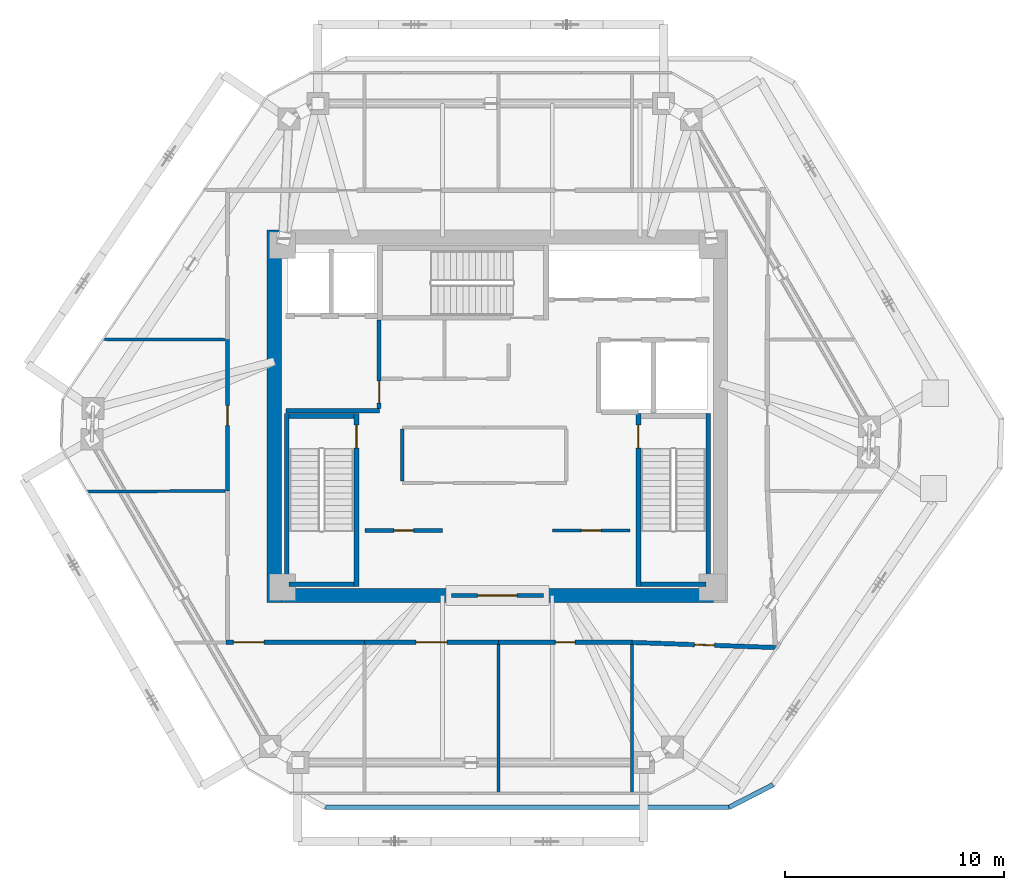
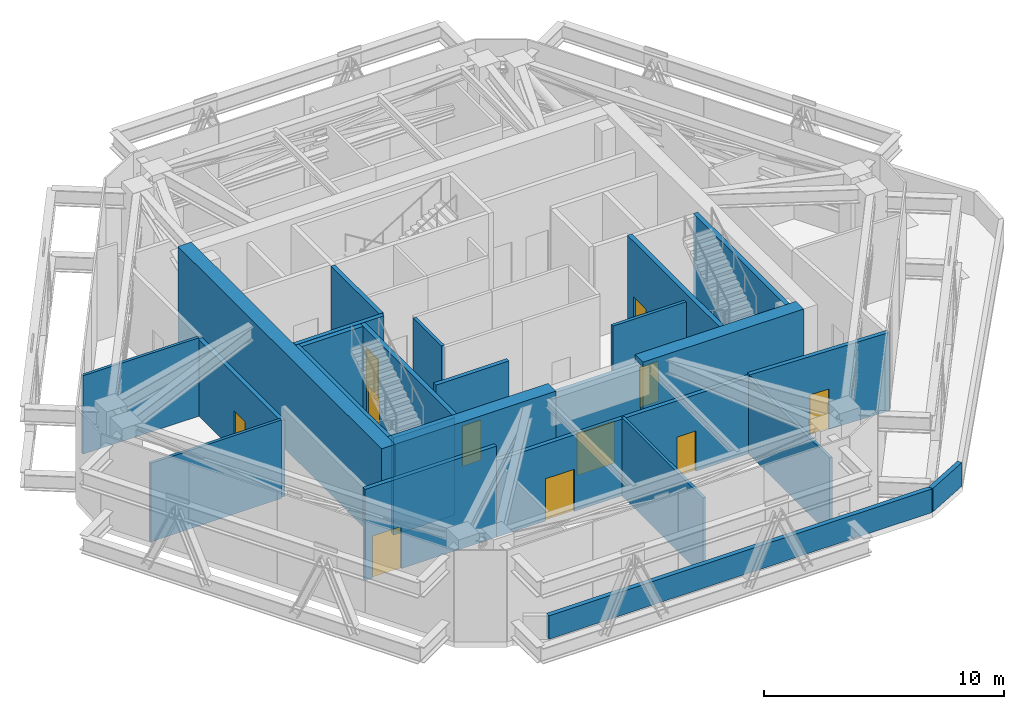
# One storey, part 7 of 10: 27 walls, 11 doors, 11 openings.
"""IFC4 building model written with IfcOpenShell, lengths in metres."""

from ifc_helpers import new_model, si_unit, direction, frame, frame_2d, origin, place, context, subcontext, project, spatial, rectangle, extrude, source, transform, mapped, material, layer, layer_set, type_object, type_shapes, element, fill, save


model = new_model("IFC4")

# Units and contexts
model_context = context("Model", 3, precision=1e-05, world=origin(), true_north=direction((0.0, 1.0)))
body_context = subcontext(model_context, "Body", "Model", "MODEL_VIEW")
ifc_project = project(units=[si_unit("LENGTHUNIT", "METRE"), si_unit("AREAUNIT", "SQUARE_METRE"), si_unit("VOLUMEUNIT", "CUBIC_METRE"), si_unit("PLANEANGLEUNIT", "RADIAN"), si_unit("MASSUNIT", "GRAM", prefix="KILO")], contexts=[model_context])

# Site, building, storey
site_placement = place(None, origin())
site = spatial("IfcSite", under=ifc_project, at=site_placement, CompositionType="ELEMENT")
building_placement = place(site_placement, origin())
building = spatial("IfcBuilding", under=site, at=building_placement, Name="Durnholm Broadcast Tower", CompositionType="ELEMENT")
storey_placement = place(building_placement, frame((0.0, 0.0, 213.39990234375)))
storey = spatial("IfcBuildingStorey", under=building, at=storey_placement, Name="L59", CompositionType="ELEMENT", Elevation=213.39990234375)

# Walls
ifc_material_1 = material(Name="Concrete C70/85", Category="concrete")
ifc_layer_1 = layer(ifc_material_1, 0.64990234375)
ifc_layer_set_1 = layer_set([ifc_layer_1], Name="Concrete C70/85")
wall_type_1 = type_object("IfcWallType", Name="WALL-CW-650", PredefinedType="SHEAR", material=ifc_layer_set_1)
wall_1_placement = place(storey_placement, frame((-10.175048828125, -8.5, 0.0), z_axis=(0.0, 0.0, 1.0), x_axis=(0.0, 1.0, 0.0)))
element("IfcWall", 1, at=wall_1_placement, inside=storey, type_object=wall_type_1, Name="L59 central core shear wall CW-WEST", PredefinedType="SHEAR", context=body_context, shape_type="SweptSolid", body=[
    extrude(rectangle(XDim=17.0, YDim=0.64990234375, at=frame_2d((8.5, 0.0))), origin(), (0.0, 0.0, 1.0), 4.900146484375),
])
for number, where, z_axis, x_axis, name in (
    (2, (-9.85009765625, -8.175048828125, 0.0), (0.0, 0.0, 1.0), (1.0, 0.0, 0.0), "L59 central core shear wall CW-S1"),
    (3, (2.10009765625, -8.175048828125, 0.0), (0.0, 0.0, 1.0), (1.0, 0.0, 0.0), "L59 central core shear wall CW-S2"),
):
    element("IfcWall", number, at=place(storey_placement, frame(where, z_axis=z_axis, x_axis=x_axis)), inside=storey, type_object=wall_type_1, Name=name, PredefinedType="SHEAR", context=body_context, shape_type="SweptSolid", body=[
        extrude(rectangle(XDim=7.75, YDim=0.64990234375, at=frame_2d((3.875, 0.0))), origin(), (0.0, 0.0, 1.0), 4.900146484375),
    ])

# Wall, opening, door
ifc_material_2 = material(Name="Fire-Rated Gypsum Shaftwall", Category="concrete")
ifc_layer_2 = layer(ifc_material_2, 0.199951171875)
ifc_layer_set_2 = layer_set([ifc_layer_2], Name="Fire-Rated Gypsum Shaftwall")
wall_type_2 = type_object("IfcWallType", Name="WALL-LOB-200", PredefinedType="SOLIDWALL", material=ifc_layer_set_2)
wall_2_placement = place(storey_placement, frame((-2.10009765625, -8.175048828125, 0.0), z_axis=(0.0, 0.0, 1.0), x_axis=(1.0, 0.0, 0.0)))
wall_2 = element("IfcWall", 4, at=wall_2_placement, inside=storey, type_object=wall_type_2, Name="L59 south core lobby fire screen", PredefinedType="SOLIDWALL", context=body_context, shape_type="SweptSolid", body=[
    extrude(rectangle(XDim=4.2001953125, YDim=0.199951171875, at=frame_2d((2.10009765625, 0.0))), origin(), (0.0, 0.0, 1.0), 4.64501953125),
])
opening_1_placement = place(wall_2_placement, frame((1.199951171875, 0.0, 0.0)))
opening_1 = element("IfcOpeningElement", 5, at=opening_1_placement, cuts=wall_2, Name="Opening DP-60", PredefinedType="OPENING", context=body_context, shape_type="SweptSolid", body=[
    extrude(rectangle(XDim=1.800048828125, YDim=2.14990234375, at=frame_2d((0.89990234375, 1.074951171875))), frame((0.0, 0.10986328125, 0.0), z_axis=(0.0, -1.0, 0.0), x_axis=(1.0, 0.0, 0.0)), (0.0, 0.0, 1.0), 0.219970703125),
])
ifc_material_3 = material(Name="Fire-Rated Double Corridor Door", Category="steel")
ifc_layer_3 = layer(ifc_material_3, 0.050048828125)
ifc_layer_set_3 = layer_set([ifc_layer_3], Name="Fire-Rated Double Corridor Door")
door_type_1 = type_object("IfcDoorType", Name="DOOR-PAIR-FD60", OperationType="DOUBLE_DOOR_SINGLE_SWING", PredefinedType="DOOR", material=ifc_layer_set_3)
shared_shape_1 = source(origin(), body_context, "Body", "SweptSolid", [
    extrude(rectangle(XDim=1.800048828125, YDim=2.14990234375, at=frame_2d((0.89990234375, 1.074951171875))), frame((0.0, 0.02490234375, 0.0), z_axis=(0.0, -1.0, 0.0), x_axis=(1.0, 0.0, 0.0)), (0.0, 0.0, 1.0), 0.050048828125),
])
type_shapes(door_type_1, [shared_shape_1])
door_1_placement = place(opening_1_placement, origin())
door_1 = element("IfcDoor", 6, at=door_1_placement, inside=storey, type_object=door_type_1, Name="L59 south core lobby double fire door", OperationType="DOUBLE_DOOR_SINGLE_SWING", OverallHeight=2.14990234375, OverallWidth=1.800048828125, PredefinedType="DOOR", context=body_context, shape_type="MappedRepresentation", body=[
    mapped(shared_shape_1, transform((0.0, 0.0, 0.0), x_axis=(1.0, 0.0, 0.0), y_axis=(0.0, 1.0, 0.0), z_axis=(0.0, 0.0, 1.0), scale=1.0)),
])
fill(opening_1, door_1)

# Wall
wall_3_placement = place(storey_placement, frame((-9.64990234375, 0.25, 0.0), z_axis=(0.0, 0.0, 1.0), x_axis=(1.0, 0.0, 0.0)))
element("IfcWall", 7, at=wall_3_placement, inside=storey, type_object=wall_type_2, Name="L59 Fire Service Access Elevator lobby south wall", PredefinedType="SOLIDWALL", context=body_context, shape_type="SweptSolid", body=[
    extrude(rectangle(XDim=4.27001953125, YDim=0.199951171875, at=frame_2d((2.135009765625, 0.0))), origin(), (0.0, 0.0, 1.0), 4.64501953125),
])

# Wall, opening, door
wall_4_placement = place(storey_placement, frame((-5.39990234375, 0.35400390625, 0.0), z_axis=(0.0, 0.0, 1.0), x_axis=(0.0, 1.0, 0.0)))
wall_4 = element("IfcWall", 8, at=wall_4_placement, inside=storey, type_object=wall_type_2, Name="L59 Fire Service Access Elevator lobby east fire wall", PredefinedType="SOLIDWALL", context=body_context, shape_type="SweptSolid", body=[
    extrude(rectangle(XDim=4.02587890625, YDim=0.199951171875, at=frame_2d((2.012939453125, 0.0))), origin(), (0.0, 0.0, 1.0), 4.64501953125),
])
opening_2_placement = place(wall_4_placement, frame((0.24609375, 0.0, 0.0)))
opening_2 = element("IfcOpeningElement", 9, at=opening_2_placement, cuts=wall_4, Name="Opening DL-60R", PredefinedType="OPENING", context=body_context, shape_type="SweptSolid", body=[
    extrude(rectangle(XDim=1.0, YDim=2.14990234375, at=frame_2d((0.5, 1.074951171875))), frame((0.0, 0.10986328125, 0.0), z_axis=(0.0, -1.0, 0.0), x_axis=(1.0, 0.0, 0.0)), (0.0, 0.0, 1.0), 0.219970703125),
])
ifc_material_4 = material(Name="Fire-Rated Timber/Steel Door", Category="steel")
ifc_layer_4 = layer(ifc_material_4, 0.050048828125)
ifc_layer_set_4 = layer_set([ifc_layer_4], Name="Fire-Rated Timber/Steel Door")
door_type_2 = type_object("IfcDoorType", Name="DOOR-LOB-FD60-R", OperationType="NOTDEFINED", PredefinedType="DOOR", material=ifc_layer_set_4)
shared_shape_2 = source(origin(), body_context, "Body", "SweptSolid", [
    extrude(rectangle(XDim=1.0, YDim=2.14990234375, at=frame_2d((0.5, 1.074951171875))), frame((0.0, 0.02490234375, 0.0), z_axis=(0.0, -1.0, 0.0), x_axis=(1.0, 0.0, 0.0)), (0.0, 0.0, 1.0), 0.050048828125),
])
type_shapes(door_type_2, [shared_shape_2])
door_2_placement = place(opening_2_placement, origin())
door_2 = element("IfcDoor", 10, at=door_2_placement, inside=storey, type_object=door_type_2, Name="L59 Fire Service Access Elevator lobby smoke door", OperationType="SINGLE_SWING_RIGHT", OverallHeight=2.14990234375, OverallWidth=1.0, PredefinedType="DOOR", context=body_context, shape_type="MappedRepresentation", body=[
    mapped(shared_shape_2, transform((0.0, 0.0, 0.0), x_axis=(1.0, 0.0, 0.0), y_axis=(0.0, 1.0, 0.0), z_axis=(0.0, 0.0, 1.0), scale=1.0)),
])
fill(opening_2, door_2)

wall_5_placement = place(storey_placement, frame((-6.0400390625, -5.2099609375, 0.0), z_axis=(0.0, 0.0, 1.0), x_axis=(1.0, 0.0, 0.0)))
wall_5 = element("IfcWall", 11, at=wall_5_placement, inside=storey, type_object=wall_type_2, Name="L59 Broadcast Signal Rack Room corridor partition", PredefinedType="SOLIDWALL", context=body_context, shape_type="SweptSolid", body=[
    extrude(rectangle(XDim=3.530029296875, YDim=0.199951171875, at=frame_2d((1.76513671875, 0.0))), origin(), (0.0, 0.0, 1.0), 4.64501953125),
])
opening_3_placement = place(wall_5_placement, frame((1.31494140625, 0.0, 0.0)))
opening_3 = element("IfcOpeningElement", 12, at=opening_3_placement, cuts=wall_5, Name="Opening DC-60L", PredefinedType="OPENING", context=body_context, shape_type="SweptSolid", body=[
    extrude(rectangle(XDim=0.89990234375, YDim=2.050048828125, at=frame_2d((0.449951171875, 1.02490234375))), frame((0.0, 0.10986328125, 0.0), z_axis=(0.0, -1.0, 0.0), x_axis=(1.0, 0.0, 0.0)), (0.0, 0.0, 1.0), 0.219970703125),
])
ifc_material_5 = material(Name="Fire-Rated Core Service Door", Category="steel")
ifc_layer_5 = layer(ifc_material_5, 0.050048828125)
ifc_layer_set_5 = layer_set([ifc_layer_5], Name="Fire-Rated Core Service Door")
door_type_3 = type_object("IfcDoorType", Name="DOOR-CORE-FD60-L", OperationType="NOTDEFINED", PredefinedType="DOOR", material=ifc_layer_set_5)
shared_shape_3 = source(origin(), body_context, "Body", "SweptSolid", [
    extrude(rectangle(XDim=0.89990234375, YDim=2.050048828125, at=frame_2d((0.449951171875, 1.02490234375))), frame((0.0, 0.02490234375, 0.0), z_axis=(0.0, -1.0, 0.0), x_axis=(1.0, 0.0, 0.0)), (0.0, 0.0, 1.0), 0.050048828125),
])
type_shapes(door_type_3, [shared_shape_3])
door_3_placement = place(opening_3_placement, origin())
door_3 = element("IfcDoor", 13, at=door_3_placement, inside=storey, type_object=door_type_3, Name="L59 Broadcast Signal Rack Room entrance door", OperationType="SINGLE_SWING_LEFT", OverallHeight=2.050048828125, OverallWidth=0.89990234375, PredefinedType="DOOR", context=body_context, shape_type="MappedRepresentation", body=[
    mapped(shared_shape_3, transform((0.0, 0.0, 0.0), x_axis=(1.0, 0.0, 0.0), y_axis=(0.0, 1.0, 0.0), z_axis=(0.0, 0.0, 1.0), scale=1.0)),
])
fill(opening_3, door_3)

wall_6_placement = place(storey_placement, frame((-12.389892578125, -10.31005859375, 0.0), z_axis=(0.0, 0.0, 1.0), x_axis=(1.0, 0.0, 0.0)))
wall_6 = element("IfcWall", 14, at=wall_6_placement, inside=storey, type_object=wall_type_2, Name="L59 L59 West Pressurized Refuge Area corridor partition", PredefinedType="SOLIDWALL", context=body_context, shape_type="SweptSolid", body=[
    extrude(rectangle(XDim=6.329833984375, YDim=0.199951171875, at=frame_2d((3.1650390625, 0.0))), origin(), (0.0, 0.0, 1.0), 4.64501953125),
])
opening_4_placement = place(wall_6_placement, frame((0.35009765625, 0.0, 0.0)))
opening_4 = element("IfcOpeningElement", 15, at=opening_4_placement, cuts=wall_6, Name="Opening DPL-140", PredefinedType="OPENING", context=body_context, shape_type="SweptSolid", body=[
    extrude(rectangle(XDim=1.39990234375, YDim=2.14990234375, at=frame_2d((0.699951171875, 1.074951171875))), frame((0.0, 0.10986328125, 0.0), z_axis=(0.0, -1.0, 0.0), x_axis=(1.0, 0.0, 0.0)), (0.0, 0.0, 1.0), 0.219970703125),
])
ifc_material_6 = material(Name="Fire-Rated Mechanical Plant Double Door", Category="steel")
ifc_layer_6 = layer(ifc_material_6, 0.050048828125)
ifc_layer_set_6 = layer_set([ifc_layer_6], Name="Fire-Rated Mechanical Plant Double Door")
door_type_4 = type_object("IfcDoorType", Name="DOOR-PLNT-1400", OperationType="DOUBLE_DOOR_SINGLE_SWING", PredefinedType="DOOR", material=ifc_layer_set_6)
shared_shape_4 = source(origin(), body_context, "Body", "SweptSolid", [
    extrude(rectangle(XDim=1.39990234375, YDim=2.14990234375, at=frame_2d((0.699951171875, 1.074951171875))), frame((0.0, 0.02490234375, 0.0), z_axis=(0.0, -1.0, 0.0), x_axis=(1.0, 0.0, 0.0)), (0.0, 0.0, 1.0), 0.050048828125),
])
type_shapes(door_type_4, [shared_shape_4])
door_4_placement = place(opening_4_placement, origin())
door_4 = element("IfcDoor", 16, at=door_4_placement, inside=storey, type_object=door_type_4, Name="L59 L59 West Pressurized Refuge Area entrance door", OperationType="DOUBLE_DOOR_SINGLE_SWING", OverallHeight=2.14990234375, OverallWidth=1.39990234375, PredefinedType="DOOR", context=body_context, shape_type="MappedRepresentation", body=[
    mapped(shared_shape_4, transform((0.0, 0.0, 0.0), x_axis=(1.0, 0.0, 0.0), y_axis=(0.0, 1.0, 0.0), z_axis=(0.0, 0.0, 1.0), scale=1.0)),
])
fill(opening_4, door_4)

wall_7_placement = place(storey_placement, frame((-6.06005859375, -10.31005859375, 0.0), z_axis=(0.0, 0.0, 1.0), x_axis=(1.0, 0.0, 0.0)))
wall_7 = element("IfcWall", 17, at=wall_7_placement, inside=storey, type_object=wall_type_2, Name="L59 L59 South Pressurized Refuge Area corridor partition", PredefinedType="SOLIDWALL", context=body_context, shape_type="SweptSolid", body=[
    extrude(rectangle(XDim=6.10009765625, YDim=0.199951171875, at=frame_2d((3.050048828125, 0.0))), origin(), (0.0, 0.0, 1.0), 3.9013671875),
])
opening_5_placement = place(wall_7_placement, frame((2.35009765625, 0.0, 0.0)))
opening_5 = element("IfcOpeningElement", 18, at=opening_5_placement, cuts=wall_7, Name="Opening DPL-140", PredefinedType="OPENING", context=body_context, shape_type="SweptSolid", body=[
    extrude(rectangle(XDim=1.39990234375, YDim=2.14990234375, at=frame_2d((0.699951171875, 1.074951171875))), frame((0.0, 0.10986328125, 0.0), z_axis=(0.0, -1.0, 0.0), x_axis=(1.0, 0.0, 0.0)), (0.0, 0.0, 1.0), 0.219970703125),
])
door_5_placement = place(opening_5_placement, origin())
door_5 = element("IfcDoor", 19, at=door_5_placement, inside=storey, type_object=door_type_4, Name="L59 L59 South Pressurized Refuge Area entrance door", OperationType="DOUBLE_DOOR_SINGLE_SWING", OverallHeight=2.14990234375, OverallWidth=1.39990234375, PredefinedType="DOOR", context=body_context, shape_type="MappedRepresentation", body=[
    mapped(shared_shape_4, transform((0.0, 0.0, 0.0), x_axis=(1.0, 0.0, 0.0), y_axis=(0.0, 1.0, 0.0), z_axis=(0.0, 0.0, 1.0), scale=1.0)),
])
fill(opening_5, door_5)

wall_8_placement = place(storey_placement, frame((0.0400390625, -10.31005859375, 0.0), z_axis=(0.0, 0.0, 1.0), x_axis=(1.0, 0.0, 0.0)))
wall_8 = element("IfcWall", 20, at=wall_8_placement, inside=storey, type_object=wall_type_2, Name="L59 Mechanical Plant Room - Domestic Water Booster Tank corridor partition", PredefinedType="SOLIDWALL", context=body_context, shape_type="SweptSolid", body=[
    extrude(rectangle(XDim=6.099853515625, YDim=0.199951171875, at=frame_2d((3.0498046875, 0.0))), origin(), (0.0, 0.0, 1.0), 3.9013671875),
])
opening_6_placement = place(wall_8_placement, frame((2.60009765625, 0.0, 0.0)))
opening_6 = element("IfcOpeningElement", 21, at=opening_6_placement, cuts=wall_8, Name="Opening DC-60L", PredefinedType="OPENING", context=body_context, shape_type="SweptSolid", body=[
    extrude(rectangle(XDim=0.89990234375, YDim=2.050048828125, at=frame_2d((0.449951171875, 1.02490234375))), frame((0.0, 0.10986328125, 0.0), z_axis=(0.0, -1.0, 0.0), x_axis=(1.0, 0.0, 0.0)), (0.0, 0.0, 1.0), 0.219970703125),
])
door_6_placement = place(opening_6_placement, origin())
door_6 = element("IfcDoor", 22, at=door_6_placement, inside=storey, type_object=door_type_3, Name="L59 Mechanical Plant Room - Domestic Water Booster Tank entrance door", OperationType="SINGLE_SWING_LEFT", OverallHeight=2.050048828125, OverallWidth=0.89990234375, PredefinedType="DOOR", context=body_context, shape_type="MappedRepresentation", body=[
    mapped(shared_shape_3, transform((0.0, 0.0, 0.0), x_axis=(1.0, 0.0, 0.0), y_axis=(0.0, 1.0, 0.0), z_axis=(0.0, 0.0, 1.0), scale=1.0)),
])
fill(opening_6, door_6)

wall_9_placement = place(storey_placement, frame((6.139892578125, -10.31298828125, 0.0), z_axis=(0.0, 0.0, 1.0), x_axis=(0.999359083983, -0.035796944861, 0.0)))
wall_9 = element("IfcWall", 23, at=wall_9_placement, inside=storey, type_object=wall_type_2, Name="L59 Mechanical Plant Room - Fire Protection Pump Plant corridor partition", PredefinedType="SOLIDWALL", context=body_context, shape_type="SweptSolid", body=[
    extrude(rectangle(XDim=6.608642578125, YDim=0.199951171875, at=frame_2d((3.30419921875, 0.0))), origin(), (0.0, 0.0, 1.0), 3.998779296875),
])
opening_7_placement = place(wall_9_placement, frame((2.854248046875, 0.0, 0.0)))
opening_7 = element("IfcOpeningElement", 24, at=opening_7_placement, cuts=wall_9, Name="Opening DC-60R", PredefinedType="OPENING", context=body_context, shape_type="SweptSolid", body=[
    extrude(rectangle(XDim=0.89990234375, YDim=2.050048828125, at=frame_2d((0.449951171875, 1.02490234375))), frame((0.0, 0.10986328125, 0.0), z_axis=(0.0, -1.0, 0.0), x_axis=(1.0, 0.0, 0.0)), (0.0, 0.0, 1.0), 0.219970703125),
])
ifc_layer_7 = layer(ifc_material_5, 0.050048828125)
ifc_layer_set_7 = layer_set([ifc_layer_7], Name="Fire-Rated Core Service Door")
door_type_5 = type_object("IfcDoorType", Name="DOOR-CORE-FD60-R", OperationType="NOTDEFINED", PredefinedType="DOOR", material=ifc_layer_set_7)
shared_shape_5 = source(origin(), body_context, "Body", "SweptSolid", [
    extrude(rectangle(XDim=0.89990234375, YDim=2.050048828125, at=frame_2d((0.449951171875, 1.02490234375))), frame((0.0, 0.02490234375, 0.0), z_axis=(0.0, -1.0, 0.0), x_axis=(1.0, 0.0, 0.0)), (0.0, 0.0, 1.0), 0.050048828125),
])
type_shapes(door_type_5, [shared_shape_5])
door_7_placement = place(opening_7_placement, origin())
door_7 = element("IfcDoor", 25, at=door_7_placement, inside=storey, type_object=door_type_5, Name="L59 Mechanical Plant Room - Fire Protection Pump Plant entrance door", OperationType="SINGLE_SWING_RIGHT", OverallHeight=2.050048828125, OverallWidth=0.89990234375, PredefinedType="DOOR", context=body_context, shape_type="MappedRepresentation", body=[
    mapped(shared_shape_5, transform((0.0, 0.0, 0.0), x_axis=(1.0, 0.0, 0.0), y_axis=(0.0, 1.0, 0.0), z_axis=(0.0, 0.0, 1.0), scale=1.0)),
])
fill(opening_7, door_7)

wall_10_placement = place(storey_placement, frame((-12.31005859375, 3.489990234375, 0.0), z_axis=(0.0, 0.0, 1.0), x_axis=(0.0, -1.0, 0.0)))
wall_10 = element("IfcWall", 26, at=wall_10_placement, inside=storey, type_object=wall_type_2, Name="L59 Mechanical Plant Room - Stairwell Pressurization Fan corridor partition", PredefinedType="SOLIDWALL", context=body_context, shape_type="SweptSolid", body=[
    extrude(rectangle(XDim=6.89990234375, YDim=0.199951171875, at=frame_2d((3.449951171875, 0.0))), origin(), (0.0, 0.0, 1.0), 3.9013671875),
])
opening_8_placement = place(wall_10_placement, frame((3.0, 0.0, 0.0)))
opening_8 = element("IfcOpeningElement", 27, at=opening_8_placement, cuts=wall_10, Name="Opening DC-60L", PredefinedType="OPENING", context=body_context, shape_type="SweptSolid", body=[
    extrude(rectangle(XDim=0.89990234375, YDim=2.050048828125, at=frame_2d((0.449951171875, 1.02490234375))), frame((0.0, 0.10986328125, 0.0), z_axis=(0.0, -1.0, 0.0), x_axis=(1.0, 0.0, 0.0)), (0.0, 0.0, 1.0), 0.219970703125),
])
door_8_placement = place(opening_8_placement, origin())
door_8 = element("IfcDoor", 28, at=door_8_placement, inside=storey, type_object=door_type_3, Name="L59 Mechanical Plant Room - Stairwell Pressurization Fan entrance door", OperationType="SINGLE_SWING_LEFT", OverallHeight=2.050048828125, OverallWidth=0.89990234375, PredefinedType="DOOR", context=body_context, shape_type="MappedRepresentation", body=[
    mapped(shared_shape_3, transform((0.0, 0.0, 0.0), x_axis=(1.0, 0.0, 0.0), y_axis=(0.0, 1.0, 0.0), z_axis=(0.0, 0.0, 1.0), scale=1.0)),
])
fill(opening_8, door_8)

# Walls
ifc_material_7 = material(Name="Precast Concrete C40/50", Category="concrete")
ifc_layer_8 = layer(ifc_material_7, 0.219970703125)
ifc_layer_set_8 = layer_set([ifc_layer_8], Name="Precast Concrete C40/50")
wall_type_3 = type_object("IfcWallType", Name="WALL-PAR-220", PredefinedType="PARAPET", material=ifc_layer_set_8)
wall_11_placement = place(storey_placement, frame((12.567138671875, -16.804931640625, 0.0), z_axis=(0.0, 0.0, 1.0), x_axis=(-0.889417810989, -0.457095129591, 0.0)))
element("IfcWall", 29, at=wall_11_placement, inside=storey, type_object=wall_type_3, Name="L59 setback roof perimeter parapet 06", PredefinedType="PARAPET", context=body_context, shape_type="SweptSolid", body=[
    extrude(rectangle(XDim=2.2470703125, YDim=0.219970703125, at=frame_2d((1.12353515625, 0.0))), origin(), (0.0, 0.0, 1.0), 1.2001953125),
])
wall_12_placement = place(storey_placement, frame((10.568603515625, -17.83203125, 0.0), z_axis=(0.0, 0.0, 1.0), x_axis=(-1.0, 0.0, 0.0)))
element("IfcWall", 30, at=wall_12_placement, inside=storey, type_object=wall_type_3, Name="L59 setback roof perimeter parapet 07", PredefinedType="PARAPET", context=body_context, shape_type="SweptSolid", body=[
    extrude(rectangle(XDim=18.443359375, YDim=0.219970703125, at=frame_2d((9.2216796875, 0.0))), origin(), (0.0, 0.0, 1.0), 1.2001953125),
])
ifc_material_8 = material(Name="Gypsum Metal Stud Partition", Category="concrete")
ifc_layer_9 = layer(ifc_material_8, 0.135009765625)
ifc_layer_set_9 = layer_set([ifc_layer_9], Name="Gypsum Metal Stud Partition")
wall_type_4 = type_object("IfcWallType", Name="WALL-PART-135", PredefinedType="PARTITIONING", material=ifc_layer_set_9)
wall_13_placement = place(storey_placement, frame((0.0400390625, -10.4140625, 0.0), z_axis=(0.0, 0.0, 1.0), x_axis=(0.0, -1.0, 0.0)))
element("IfcWall", 31, at=wall_13_placement, inside=storey, type_object=wall_type_4, Name="L59 room dividing partition 12.13", PredefinedType="PARTITIONING", context=body_context, shape_type="SweptSolid", body=[
    extrude(rectangle(XDim=6.77197265625, YDim=0.135009765625, at=frame_2d((3.385986328125, 0.0))), origin(), (0.0, 0.0, 1.0), 3.998779296875),
])
wall_14_placement = place(storey_placement, frame((6.139892578125, -10.4169921875, 0.0), z_axis=(0.0, 0.0, 1.0), x_axis=(0.0, -1.0, 0.0)))
element("IfcWall", 32, at=wall_14_placement, inside=storey, type_object=wall_type_4, Name="L59 room dividing partition 13.14", PredefinedType="PARTITIONING", context=body_context, shape_type="SweptSolid", body=[
    extrude(rectangle(XDim=6.76904296875, YDim=0.135009765625, at=frame_2d((3.384521484375, 0.0))), origin(), (0.0, 0.0, 1.0), 3.9013671875),
])
wall_15_placement = place(storey_placement, frame((-18.73046875, -3.43017578125, 0.0), z_axis=(0.0, 0.0, 1.0), x_axis=(0.999995099089, 0.00313078243, 0.0)))
element("IfcWall", 33, at=wall_15_placement, inside=storey, type_object=wall_type_4, Name="L59 room dividing partition 18.19", PredefinedType="PARTITIONING", context=body_context, shape_type="SweptSolid", body=[
    extrude(rectangle(XDim=6.31640625, YDim=0.135009765625, at=frame_2d((3.158203125, 0.0))), origin(), (0.0, 0.0, 1.0), 3.998779296875),
])
wall_16_placement = place(storey_placement, frame((-17.99560546875, 3.512451171875, 0.0), z_axis=(0.0, 0.0, 1.0), x_axis=(0.99999225143, -0.003936632956, 0.0)))
element("IfcWall", 34, at=wall_16_placement, inside=storey, type_object=wall_type_4, Name="L59 room dividing partition 19.20", PredefinedType="PARTITIONING", context=body_context, shape_type="SweptSolid", body=[
    extrude(rectangle(XDim=5.58154296875, YDim=0.135009765625, at=frame_2d((2.790771484375, 0.0))), origin(), (0.0, 0.0, 1.0), 3.998779296875),
])

# Wall, opening, door
ifc_material_9 = material(Name="Acoustic Gypsum Stud Partition", Category="concrete")
ifc_layer_10 = layer(ifc_material_9, 0.14990234375)
ifc_layer_set_10 = layer_set([ifc_layer_10], Name="Acoustic Gypsum Stud Partition")
wall_type_5 = type_object("IfcWallType", Name="WALL-PART-150", PredefinedType="PARTITIONING", material=ifc_layer_set_10)
wall_17_placement = place(storey_placement, frame((2.510009765625, -5.2099609375, 0.0), z_axis=(0.0, 0.0, 1.0), x_axis=(1.0, 0.0, 0.0)))
wall_17 = element("IfcWall", 35, at=wall_17_placement, inside=storey, type_object=wall_type_5, Name="L59 Editorial Beverage Pantry corridor partition", PredefinedType="PARTITIONING", context=body_context, shape_type="SweptSolid", body=[
    extrude(rectangle(XDim=3.530029296875, YDim=0.14990234375, at=frame_2d((1.76513671875, 0.0))), origin(), (0.0, 0.0, 1.0), 4.64501953125),
])
opening_9_placement = place(wall_17_placement, frame((1.31494140625, 0.0, 0.0)))
opening_9 = element("IfcOpeningElement", 36, at=opening_9_placement, cuts=wall_17, Name="Opening DC-60R", PredefinedType="OPENING", context=body_context, shape_type="SweptSolid", body=[
    extrude(rectangle(XDim=0.89990234375, YDim=2.050048828125, at=frame_2d((0.449951171875, 1.02490234375))), frame((0.0, 0.0849609375, 0.0), z_axis=(0.0, -1.0, 0.0), x_axis=(1.0, 0.0, 0.0)), (0.0, 0.0, 1.0), 0.169921875),
])
door_9_placement = place(opening_9_placement, origin())
door_9 = element("IfcDoor", 37, at=door_9_placement, inside=storey, type_object=door_type_5, Name="L59 Editorial Beverage Pantry entrance door", OperationType="SINGLE_SWING_RIGHT", OverallHeight=2.050048828125, OverallWidth=0.89990234375, PredefinedType="DOOR", context=body_context, shape_type="MappedRepresentation", body=[
    mapped(shared_shape_5, transform((0.0, 0.0, 0.0), x_axis=(1.0, 0.0, 0.0), y_axis=(0.0, 1.0, 0.0), z_axis=(0.0, 0.0, 1.0), scale=1.0)),
])
fill(opening_9, door_9)

# Wall
wall_18_placement = place(storey_placement, frame((-4.340087890625, -2.9609375, 0.0), z_axis=(0.0, 0.0, 1.0), x_axis=(0.0, 1.0, 0.0)))
element("IfcWall", 38, at=wall_18_placement, inside=storey, type_object=wall_type_5, Name="L59 Digital Tape Archive Store corridor partition", PredefinedType="PARTITIONING", context=body_context, shape_type="SweptSolid", body=[
    extrude(rectangle(XDim=2.371826171875, YDim=0.14990234375, at=frame_2d((1.18603515625, 0.0))), origin(), (0.0, 0.0, 1.0), 4.64501953125),
])

# Wall, opening, door
ifc_material_10 = material(Name="Concrete C50/60", Category="concrete")
ifc_layer_11 = layer(ifc_material_10, 0.219970703125)
ifc_layer_set_11 = layer_set([ifc_layer_11], Name="Concrete C50/60")
wall_type_6 = type_object("IfcWallType", Name="WALL-SW-220", PredefinedType="SHEAR", material=ifc_layer_set_11)
wall_19_placement = place(storey_placement, frame((-6.429931640625, -7.77001953125, -0.2998046875), z_axis=(0.0, 0.0, 1.0), x_axis=(0.0, 1.0, 0.0)))
wall_19 = element("IfcWall", 39, at=wall_19_placement, inside=storey, type_object=wall_type_6, Name="L59 stair ST-1 structural shaft wall E", PredefinedType="SHEAR", context=body_context, shape_type="SweptSolid", body=[
    extrude(rectangle(XDim=7.89013671875, YDim=0.219970703125, at=frame_2d((3.945068359375, 0.0))), origin(), (0.0, 0.0, 1.0), 4.9599609375),
])
opening_10_placement = place(wall_19_placement, frame((6.320068359375, 0.0, 0.0)))
opening_10 = element("IfcOpeningElement", 40, at=opening_10_placement, cuts=wall_19, Name="Opening DS-90L", PredefinedType="OPENING", context=body_context, shape_type="SweptSolid", body=[
    extrude(rectangle(XDim=1.050048828125, YDim=2.14990234375, at=frame_2d((0.52490234375, 1.074951171875))), frame((0.0, 0.1201171875, 0.0), z_axis=(0.0, -1.0, 0.0), x_axis=(1.0, 0.0, 0.0)), (0.0, 0.0, 1.0), 0.239990234375),
])
ifc_material_11 = material(Name="Fire-Rated Steel Door", Category="steel")
ifc_layer_12 = layer(ifc_material_11, 0.050048828125)
ifc_layer_set_12 = layer_set([ifc_layer_12], Name="Fire-Rated Steel Door")
door_type_6 = type_object("IfcDoorType", Name="DOOR-ST-FD90-L", OperationType="NOTDEFINED", PredefinedType="DOOR", material=ifc_layer_set_12)
shared_shape_6 = source(origin(), body_context, "Body", "SweptSolid", [
    extrude(rectangle(XDim=1.050048828125, YDim=2.14990234375, at=frame_2d((0.52490234375, 1.074951171875))), frame((0.0, 0.02490234375, 0.0), z_axis=(0.0, -1.0, 0.0), x_axis=(1.0, 0.0, 0.0)), (0.0, 0.0, 1.0), 0.050048828125),
])
type_shapes(door_type_6, [shared_shape_6])
door_10_placement = place(opening_10_placement, origin())
door_10 = element("IfcDoor", 41, at=door_10_placement, inside=storey, type_object=door_type_6, Name="L59 exit stair ST-1 fire door", OperationType="SINGLE_SWING_LEFT", OverallHeight=2.14990234375, OverallWidth=1.050048828125, PredefinedType="DOOR", context=body_context, shape_type="MappedRepresentation", body=[
    mapped(shared_shape_6, transform((0.0, 0.0, 0.0), x_axis=(1.0, 0.0, 0.0), y_axis=(0.0, 1.0, 0.0), z_axis=(0.0, 0.0, 1.0), scale=1.0)),
])
fill(opening_10, door_10)

# Walls
wall_20_placement = place(storey_placement, frame((-9.610107421875, 0.1201171875, -0.2998046875), z_axis=(0.0, 0.0, 1.0), x_axis=(0.0, -1.0, 0.0)))
element("IfcWall", 42, at=wall_20_placement, inside=storey, type_object=wall_type_6, Name="L59 stair ST-1 structural shaft wall W", PredefinedType="SHEAR", context=body_context, shape_type="SweptSolid", body=[
    extrude(rectangle(XDim=7.89013671875, YDim=0.219970703125, at=frame_2d((3.945068359375, 0.0))), origin(), (0.0, 0.0, 1.0), 4.9599609375),
])
for number, where, z_axis, x_axis, name in (
    (43, (-9.5, -7.659912109375, -0.2998046875), (0.0, 0.0, 1.0), (1.0, 0.0, 0.0), "L59 stair ST-1 structural shaft wall S"),
    (44, (-6.5400390625, 0.010009765625, -0.2998046875), (0.0, 0.0, 1.0), (-1.0, 0.0, 0.0), "L59 stair ST-1 structural shaft wall N"),
):
    element("IfcWall", number, at=place(storey_placement, frame(where, z_axis=z_axis, x_axis=x_axis)), inside=storey, type_object=wall_type_6, Name=name, PredefinedType="SHEAR", context=body_context, shape_type="SweptSolid", body=[
        extrude(rectangle(XDim=2.9599609375, YDim=0.219970703125, at=frame_2d((1.47998046875, 0.0))), origin(), (0.0, 0.0, 1.0), 4.9599609375),
    ])
wall_21_placement = place(storey_placement, frame((9.610107421875, -7.77001953125, -0.2998046875), z_axis=(0.0, 0.0, 1.0), x_axis=(0.0, 1.0, 0.0)))
element("IfcWall", 45, at=wall_21_placement, inside=storey, type_object=wall_type_6, Name="L59 stair ST-2 structural shaft wall E", PredefinedType="SHEAR", context=body_context, shape_type="SweptSolid", body=[
    extrude(rectangle(XDim=7.89013671875, YDim=0.219970703125, at=frame_2d((3.945068359375, 0.0))), origin(), (0.0, 0.0, 1.0), 4.9599609375),
])

# Wall, opening, door
wall_22_placement = place(storey_placement, frame((6.429931640625, 0.1201171875, -0.2998046875), z_axis=(0.0, 0.0, 1.0), x_axis=(0.0, -1.0, 0.0)))
wall_22 = element("IfcWall", 46, at=wall_22_placement, inside=storey, type_object=wall_type_6, Name="L59 stair ST-2 structural shaft wall W", PredefinedType="SHEAR", context=body_context, shape_type="SweptSolid", body=[
    extrude(rectangle(XDim=7.89013671875, YDim=0.219970703125, at=frame_2d((3.945068359375, 0.0))), origin(), (0.0, 0.0, 1.0), 4.9599609375),
])
opening_11_placement = place(wall_22_placement, frame((0.52001953125, 0.0, 0.0)))
opening_11 = element("IfcOpeningElement", 47, at=opening_11_placement, cuts=wall_22, Name="Opening DS-90R", PredefinedType="OPENING", context=body_context, shape_type="SweptSolid", body=[
    extrude(rectangle(XDim=1.050048828125, YDim=2.14990234375, at=frame_2d((0.52490234375, 1.074951171875))), frame((0.0, 0.1201171875, 0.0), z_axis=(0.0, -1.0, 0.0), x_axis=(1.0, 0.0, 0.0)), (0.0, 0.0, 1.0), 0.239990234375),
])
ifc_layer_13 = layer(ifc_material_11, 0.050048828125)
ifc_layer_set_13 = layer_set([ifc_layer_13], Name="Fire-Rated Steel Door")
door_type_7 = type_object("IfcDoorType", Name="DOOR-ST-FD90-R", OperationType="NOTDEFINED", PredefinedType="DOOR", material=ifc_layer_set_13)
shared_shape_7 = source(origin(), body_context, "Body", "SweptSolid", [
    extrude(rectangle(XDim=1.050048828125, YDim=2.14990234375, at=frame_2d((0.52490234375, 1.074951171875))), frame((0.0, 0.02490234375, 0.0), z_axis=(0.0, -1.0, 0.0), x_axis=(1.0, 0.0, 0.0)), (0.0, 0.0, 1.0), 0.050048828125),
])
type_shapes(door_type_7, [shared_shape_7])
door_11_placement = place(opening_11_placement, origin())
door_11 = element("IfcDoor", 48, at=door_11_placement, inside=storey, type_object=door_type_7, Name="L59 exit stair ST-2 fire door", OperationType="SINGLE_SWING_RIGHT", OverallHeight=2.14990234375, OverallWidth=1.050048828125, PredefinedType="DOOR", context=body_context, shape_type="MappedRepresentation", body=[
    mapped(shared_shape_7, transform((0.0, 0.0, 0.0), x_axis=(1.0, 0.0, 0.0), y_axis=(0.0, 1.0, 0.0), z_axis=(0.0, 0.0, 1.0), scale=1.0)),
])
fill(opening_11, door_11)

# Wall
wall_23_placement = place(storey_placement, frame((6.5400390625, -7.659912109375, -0.2998046875), z_axis=(0.0, 0.0, 1.0), x_axis=(1.0, 0.0, 0.0)))
element("IfcWall", 49, at=wall_23_placement, inside=storey, type_object=wall_type_6, Name="L59 stair ST-2 structural shaft wall S", PredefinedType="SHEAR", context=body_context, shape_type="SweptSolid", body=[
    extrude(rectangle(XDim=2.9599609375, YDim=0.219970703125, at=frame_2d((1.47998046875, 0.0))), origin(), (0.0, 0.0, 1.0), 4.9599609375),
])

save(model, "model.ifc")
